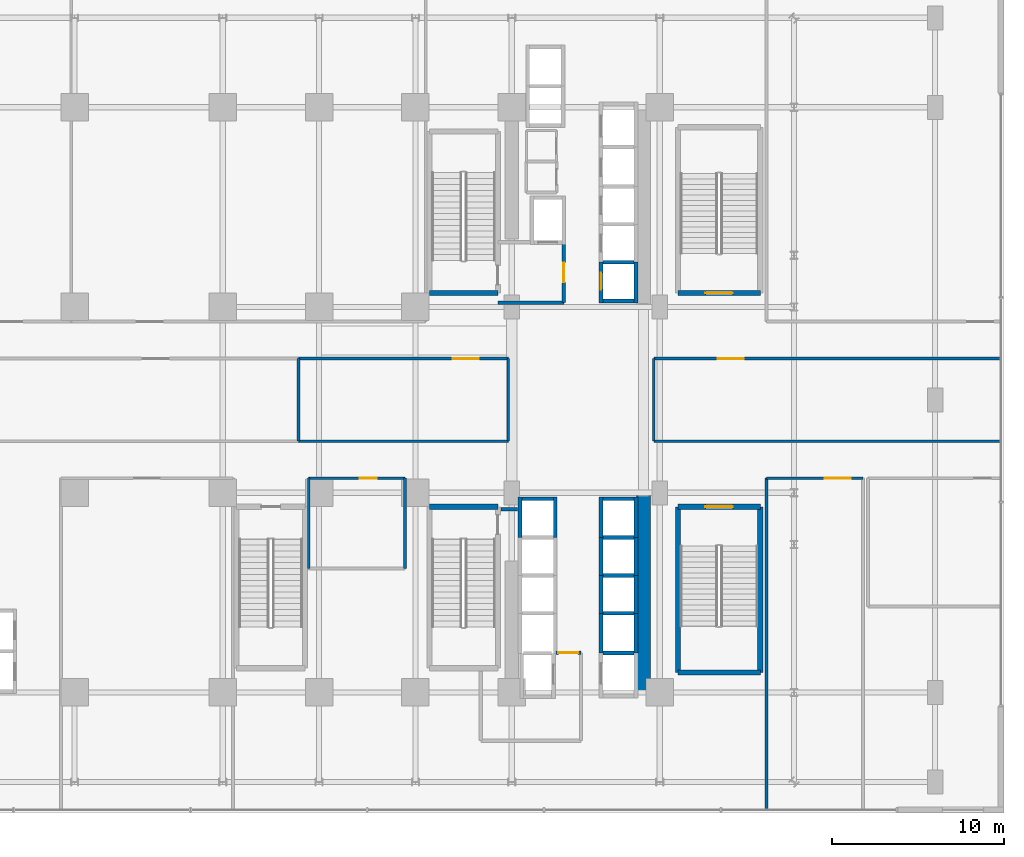
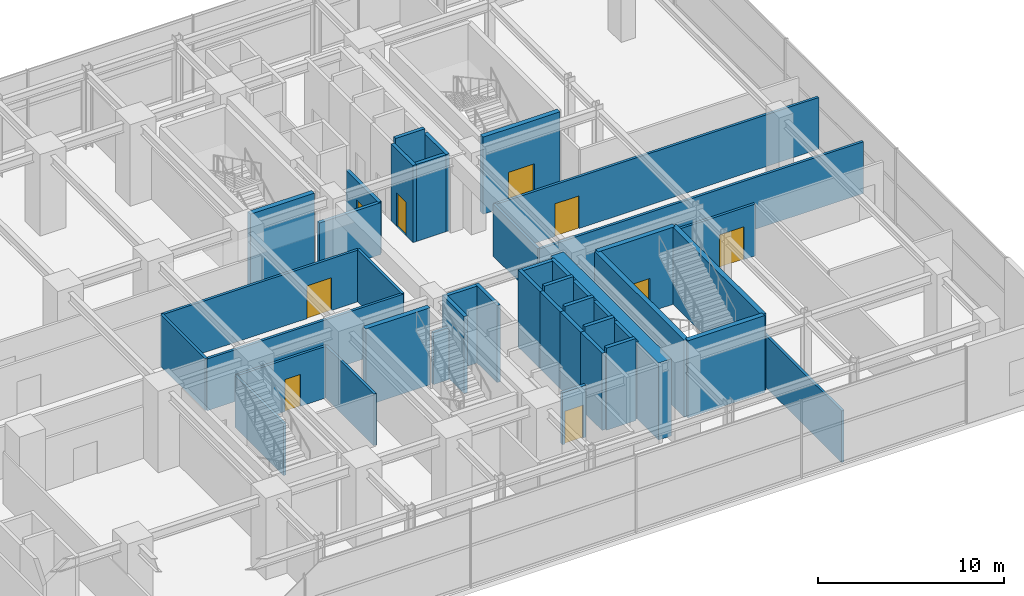
# One storey, part 28 of 32: 44 walls, 9 doors, 9 openings.
"""IFC4 building model written with IfcOpenShell, lengths in metres."""

from ifc_helpers import new_model, si_unit, direction, frame, frame_2d, origin, place, context, subcontext, project, spatial, rectangle, extrude, source, transform, mapped, material, layer, layer_set, type_object, element, fill, save


model = new_model("IFC4")

# Units and contexts
model_context = context("Model", 3, precision=1e-05, world=origin(), true_north=direction((0.0, 1.0)))
body_context = subcontext(model_context, "Body", "Model", "MODEL_VIEW")
ifc_project = project(units=[si_unit("LENGTHUNIT", "METRE"), si_unit("AREAUNIT", "SQUARE_METRE"), si_unit("VOLUMEUNIT", "CUBIC_METRE"), si_unit("PLANEANGLEUNIT", "RADIAN"), si_unit("MASSUNIT", "GRAM", prefix="KILO")], contexts=[model_context])

# Site, building, storey
site_placement = place(None, origin())
site = spatial("IfcSite", under=ifc_project, at=site_placement, CompositionType="ELEMENT")
building_placement = place(site_placement, origin())
building = spatial("IfcBuilding", under=site, at=building_placement, Name="Nahalor Promenade Grand Hotel", CompositionType="ELEMENT")
storey_placement = place(building_placement, frame((0.0, 0.0, 10.800048828125)))
storey = spatial("IfcBuildingStorey", under=building, at=storey_placement, Name="L02", CompositionType="ELEMENT", Elevation=10.800048828125)

# Walls
ifc_material_1 = material(Name="Concrete B-70 (C60/75)", Category="concrete")
ifc_layer_1 = layer(ifc_material_1, 0.800048828125)
ifc_layer_set_1 = layer_set([ifc_layer_1], Name="Concrete B-70 (C60/75)")
wall_type_1 = type_object("IfcWallType", Name="Wall-CoreShear-800", PredefinedType="SHEAR", material=ifc_layer_set_1)
shared_shape_1 = source(origin(), body_context, "Body", "SweptSolid", [
    extrude(rectangle(XDim=11.60009765625, YDim=0.800048828125, at=frame_2d((5.800048828125, 0.0))), origin(), (0.0, 0.0, 1.0), 5.06005859375),
])
wall_1_placement = place(storey_placement, frame((16.050048828125, -17.0, 0.0), z_axis=(0.0, 0.0, 1.0), x_axis=(0.0, 1.0, 0.0)))
element("IfcWall", 1, at=wall_1_placement, inside=storey, type_object=wall_type_1, Name="CWALL-L02-SE", PredefinedType="SHEAR", context=body_context, shape_type="MappedRepresentation", body=[
    mapped(shared_shape_1, transform((0.0, 0.0, 0.0), scale=1.0)),
])
ifc_material_2 = material(Name="Concrete B-50 (C40/50)", Category="concrete")
ifc_layer_2 = layer(ifc_material_2, 0.300048828125)
ifc_layer_set_2 = layer_set([ifc_layer_2], Name="Concrete B-50 (C40/50)")
wall_type_2 = type_object("IfcWallType", Name="Wall-ShaftShear-300", PredefinedType="SHEAR", material=ifc_layer_set_2)
shared_shape_2 = source(origin(), body_context, "Body", "SweptSolid", [
    extrude(rectangle(XDim=3.97998046875, YDim=0.300048828125, at=frame_2d((1.989990234375, 0.0))), origin(), (0.0, 0.0, 1.0), 5.06005859375),
])
for number, where, z_axis, x_axis, name in (
    (2, (3.610107421875, 6.2099609375, 0.0), (0.0, 0.0, 1.0), (1.0, 0.0, 0.0), "L02 Exit Stair ST1 Shaft Wall S"),
    (3, (3.610107421875, -6.2099609375, 0.0), (0.0, 0.0, 1.0), (1.0, 0.0, 0.0), "L02 Exit Stair ST2 Shaft Wall N"),
):
    element("IfcWall", number, at=place(storey_placement, frame(where, z_axis=z_axis, x_axis=x_axis)), inside=storey, type_object=wall_type_2, Name=name, PredefinedType="SHEAR", context=body_context, shape_type="MappedRepresentation", body=[
        mapped(shared_shape_2, transform((0.0, 0.0, 0.0), scale=1.0)),
    ])

# Wall, opening, door
shared_shape_3 = source(origin(), body_context, "Body", "SweptSolid", [
    extrude(rectangle(XDim=4.780029296875, YDim=0.300048828125, at=frame_2d((2.39013671875, 0.0))), origin(), (0.0, 0.0, 1.0), 5.06005859375),
])
wall_2_placement = place(storey_placement, frame((18.06005859375, 6.2099609375, 0.0), z_axis=(0.0, 0.0, 1.0), x_axis=(1.0, 0.0, 0.0)))
wall_2 = element("IfcWall", 4, at=wall_2_placement, inside=storey, type_object=wall_type_2, Name="L02 Exit Stair ST4 Shaft Wall S", PredefinedType="SHEAR", context=body_context, shape_type="MappedRepresentation", body=[
    mapped(shared_shape_3, transform((0.0, 0.0, 0.0), scale=1.0)),
])
opening_1_placement = place(wall_2_placement, frame((1.590087890625, 0.0, 0.0)))
opening_1 = element("IfcOpeningElement", 5, at=opening_1_placement, cuts=wall_2, Name="Opening D-ST2", PredefinedType="OPENING", context=body_context, shape_type="SweptSolid", body=[
    extrude(rectangle(XDim=1.60009765625, YDim=2.199951171875, at=frame_2d((0.800048828125, 1.10009765625))), frame((0.0, 0.159912109375, 0.0), z_axis=(0.0, -1.0, 0.0), x_axis=(1.0, 0.0, 0.0)), (0.0, 0.0, 1.0), 0.320068359375),
])
ifc_material_3 = material(Name="Steel S355JR", Category="steel")
door_type_1 = type_object("IfcDoorType", Name="Door-StairGrand-1600", OperationType="DOUBLE_DOOR_SINGLE_SWING", PredefinedType="DOOR", material=ifc_material_3)
shared_shape_4 = source(origin(), body_context, "Body", "SweptSolid", [
    extrude(rectangle(XDim=1.60009765625, YDim=2.199951171875, at=frame_2d((0.800048828125, 1.10009765625))), frame((0.0, 0.02490234375, 0.0), z_axis=(0.0, -1.0, 0.0), x_axis=(1.0, 0.0, 0.0)), (0.0, 0.0, 1.0), 0.050048828125),
])
door_1_placement = place(opening_1_placement, origin())
door_1 = element("IfcDoor", 6, at=door_1_placement, inside=storey, type_object=door_type_1, Name="DR-STAIR-ST4-L02", OperationType="DOUBLE_DOOR_SINGLE_SWING", OverallHeight=2.199951171875, OverallWidth=1.60009765625, PredefinedType="DOOR", context=body_context, shape_type="MappedRepresentation", body=[
    mapped(shared_shape_4, transform((0.0, 0.0, 0.0), scale=1.0)),
])
fill(opening_1, door_1)

# Wall
wall_3_placement = place(storey_placement, frame((18.06005859375, -15.840087890625, 0.0), z_axis=(0.0, 0.0, 1.0), x_axis=(1.0, 0.0, 0.0)))
element("IfcWall", 7, at=wall_3_placement, inside=storey, type_object=wall_type_2, Name="L02 Exit Stair ST5 Shaft Wall S", PredefinedType="SHEAR", context=body_context, shape_type="MappedRepresentation", body=[
    mapped(shared_shape_3, transform((0.0, 0.0, 0.0), scale=1.0)),
])

# Wall, opening, door
wall_4_placement = place(storey_placement, frame((18.06005859375, -6.2099609375, 0.0), z_axis=(0.0, 0.0, 1.0), x_axis=(1.0, 0.0, 0.0)))
wall_4 = element("IfcWall", 8, at=wall_4_placement, inside=storey, type_object=wall_type_2, Name="L02 Exit Stair ST5 Shaft Wall N", PredefinedType="SHEAR", context=body_context, shape_type="MappedRepresentation", body=[
    mapped(shared_shape_3, transform((0.0, 0.0, 0.0), scale=1.0)),
])
opening_2_placement = place(wall_4_placement, frame((1.590087890625, 0.0, 0.0)))
opening_2 = element("IfcOpeningElement", 9, at=opening_2_placement, cuts=wall_4, Name="Opening D-ST2", PredefinedType="OPENING", context=body_context, shape_type="SweptSolid", body=[
    extrude(rectangle(XDim=1.60009765625, YDim=2.199951171875, at=frame_2d((0.800048828125, 1.10009765625))), frame((0.0, 0.159912109375, 0.0), z_axis=(0.0, -1.0, 0.0), x_axis=(1.0, 0.0, 0.0)), (0.0, 0.0, 1.0), 0.320068359375),
])
door_2_placement = place(opening_2_placement, frame((1.60009765625, 0.0, 0.0), z_axis=(0.0, 0.0, 1.0), x_axis=(-1.0, 0.0, 0.0)))
door_2 = element("IfcDoor", 10, at=door_2_placement, inside=storey, type_object=door_type_1, Name="DR-STAIR-ST5-L02", OperationType="DOUBLE_DOOR_SINGLE_SWING", OverallHeight=2.199951171875, OverallWidth=1.60009765625, PredefinedType="DOOR", context=body_context, shape_type="MappedRepresentation", body=[
    mapped(shared_shape_4, transform((0.0, 0.0, 0.0), scale=1.0)),
])
fill(opening_2, door_2)

# Walls
shared_shape_5 = source(origin(), body_context, "Body", "SweptSolid", [
    extrude(rectangle(XDim=9.630126953125, YDim=0.300048828125, at=frame_2d((4.81494140625, 0.0))), origin(), (0.0, 0.0, 1.0), 5.06005859375),
])
for number, where, z_axis, x_axis, name in (
    (11, (18.06005859375, -15.840087890625, 0.0), (0.0, 0.0, 1.0), (0.0, 1.0, 0.0), "L02 Exit Stair ST5 Shaft Wall W"),
    (12, (22.840087890625, -15.840087890625, 0.0), (0.0, 0.0, 1.0), (0.0, 1.0, 0.0), "L02 Exit Stair ST5 Shaft Wall E"),
):
    element("IfcWall", number, at=place(storey_placement, frame(where, z_axis=z_axis, x_axis=x_axis)), inside=storey, type_object=wall_type_2, Name=name, PredefinedType="SHEAR", context=body_context, shape_type="MappedRepresentation", body=[
        mapped(shared_shape_5, transform((0.0, 0.0, 0.0), scale=1.0)),
    ])
ifc_layer_3 = layer(ifc_material_2, 0.219970703125)
ifc_layer_set_3 = layer_set([ifc_layer_3], Name="Concrete B-50 (C40/50)")
wall_type_3 = type_object("IfcWallType", Name="Wall-LiftShaft-220", PredefinedType="SHEAR", material=ifc_layer_set_3)
shared_shape_6 = source(origin(), body_context, "Body", "SweptSolid", [
    extrude(rectangle(XDim=1.820068359375, YDim=0.219970703125, at=frame_2d((0.91015625, 0.0))), origin(), (0.0, 0.0, 1.0), 5.39990234375),
])
for number, where, z_axis, x_axis, name in (
    (13, (13.68994140625, 8.0, 0.0), (0.0, 0.0, 1.0), (1.0, 0.0, 0.0), "L02 Lift PL1 Hoistway Wall N"),
    (14, (13.68994140625, -8.0, 0.0), (0.0, 0.0, 1.0), (1.0, 0.0, 0.0), "L02 Lift PL6 Hoistway Wall N"),
    (15, (13.68994140625, -10.199951171875, 0.0), (0.0, 0.0, 1.0), (1.0, 0.0, 0.0), "L02 Lift PL7 Hoistway Wall N"),
    (16, (13.68994140625, -12.39990234375, 0.0), (0.0, 0.0, 1.0), (1.0, 0.0, 0.0), "L02 Lift PL8 Hoistway Wall N"),
    (17, (13.68994140625, -14.699951171875, 0.0), (0.0, 0.0, 1.0), (1.0, 0.0, 0.0), "L02 Lift SV2 Hoistway Wall N"),
):
    element("IfcWall", number, at=place(storey_placement, frame(where, z_axis=z_axis, x_axis=x_axis)), inside=storey, type_object=wall_type_3, Name=name, PredefinedType="SHEAR", context=body_context, shape_type="MappedRepresentation", body=[
        mapped(shared_shape_6, transform((0.0, 0.0, 0.0), scale=1.0)),
    ])

# Wall, opening, door
shared_shape_7 = source(origin(), body_context, "Body", "SweptSolid", [
    extrude(rectangle(XDim=2.360107421875, YDim=0.219970703125, at=frame_2d((1.18017578125, 0.0))), origin(), (0.0, 0.0, 1.0), 5.06005859375),
])
wall_5_placement = place(storey_placement, frame((13.580078125, 5.639892578125, 0.0), z_axis=(0.0, 0.0, 1.0), x_axis=(0.0, 1.0, 0.0)))
wall_5 = element("IfcWall", 18, at=wall_5_placement, inside=storey, type_object=wall_type_3, Name="L02 Lift PL1 Hoistway Wall W", PredefinedType="SHEAR", context=body_context, shape_type="MappedRepresentation", body=[
    mapped(shared_shape_7, transform((0.0, 0.0, 0.0), scale=1.0)),
])
opening_3_placement = place(wall_5_placement, frame((0.760009765625, 0.0, 0.0)))
opening_3 = element("IfcOpeningElement", 19, at=opening_3_placement, cuts=wall_5, Name="Opening LD-01", PredefinedType="OPENING", context=body_context, shape_type="SweptSolid", body=[
    extrude(rectangle(XDim=1.0, YDim=2.199951171875, at=frame_2d((0.5, 1.10009765625))), frame((0.0, 0.119873046875, 0.0), z_axis=(0.0, -1.0, 0.0), x_axis=(1.0, 0.0, 0.0)), (0.0, 0.0, 1.0), 0.239990234375),
])
door_type_2 = type_object("IfcDoorType", Name="Door-LiftLanding-1000", OperationType="DOUBLE_DOOR_SLIDING", PredefinedType="DOOR", material=ifc_material_3)
shared_shape_8 = source(origin(), body_context, "Body", "SweptSolid", [
    extrude(rectangle(XDim=1.0, YDim=2.199951171875, at=frame_2d((0.5, 1.10009765625))), frame((0.0, 0.02490234375, 0.0), z_axis=(0.0, -1.0, 0.0), x_axis=(1.0, 0.0, 0.0)), (0.0, 0.0, 1.0), 0.050048828125),
])
door_3_placement = place(opening_3_placement, origin())
door_3 = element("IfcDoor", 20, at=door_3_placement, inside=storey, type_object=door_type_2, Name="DR-LIFT-PL1-L02", OperationType="DOUBLE_DOOR_SLIDING", OverallHeight=2.199951171875, OverallWidth=1.0, PredefinedType="DOOR", context=body_context, shape_type="MappedRepresentation", body=[
    mapped(shared_shape_8, transform((0.0, 0.0, 0.0), scale=1.0)),
])
fill(opening_3, door_3)

# Walls
for number, where, z_axis, x_axis, name in (
    (21, (15.6201171875, 5.639892578125, 0.0), (0.0, 0.0, 1.0), (0.0, 1.0, 0.0), "L02 Lift PL1 Hoistway Wall E"),
    (22, (13.580078125, -8.0, 0.0), (0.0, 0.0, 1.0), (0.0, 1.0, 0.0), "L02 Lift PL5 Hoistway Wall W"),
    (23, (15.6201171875, -8.0, 0.0), (0.0, 0.0, 1.0), (0.0, 1.0, 0.0), "L02 Lift PL5 Hoistway Wall E"),
    (24, (8.8798828125, -8.0, 0.0), (0.0, 0.0, 1.0), (0.0, 1.0, 0.0), "L02 Lift PL9 Hoistway Wall W"),
    (25, (10.919921875, -8.0, 0.0), (0.0, 0.0, 1.0), (0.0, 1.0, 0.0), "L02 Lift PL9 Hoistway Wall E"),
):
    element("IfcWall", number, at=place(storey_placement, frame(where, z_axis=z_axis, x_axis=x_axis)), inside=storey, type_object=wall_type_3, Name=name, PredefinedType="SHEAR", context=body_context, shape_type="MappedRepresentation", body=[
        mapped(shared_shape_7, transform((0.0, 0.0, 0.0), scale=1.0)),
    ])
shared_shape_9 = source(origin(), body_context, "Body", "SweptSolid", [
    extrude(rectangle(XDim=1.820068359375, YDim=0.219970703125, at=frame_2d((0.91015625, 0.0))), origin(), (0.0, 0.0, 1.0), 5.06005859375),
])
for number, where, z_axis, x_axis, name in (
    (26, (13.68994140625, 5.75, 0.0), (0.0, 0.0, 1.0), (1.0, 0.0, 0.0), "L02 Lift PL1 Hoistway Wall S"),
    (27, (13.68994140625, -5.75, 0.0), (0.0, 0.0, 1.0), (1.0, 0.0, 0.0), "L02 Lift PL5 Hoistway Wall N"),
    (28, (8.989990234375, -5.75, 0.0), (0.0, 0.0, 1.0), (1.0, 0.0, 0.0), "L02 Lift PL9 Hoistway Wall N"),
):
    element("IfcWall", number, at=place(storey_placement, frame(where, z_axis=z_axis, x_axis=x_axis)), inside=storey, type_object=wall_type_3, Name=name, PredefinedType="SHEAR", context=body_context, shape_type="MappedRepresentation", body=[
        mapped(shared_shape_9, transform((0.0, 0.0, 0.0), scale=1.0)),
    ])
shared_shape_10 = source(origin(), body_context, "Body", "SweptSolid", [
    extrude(rectangle(XDim=2.199951171875, YDim=0.219970703125, at=frame_2d((1.10009765625, 0.0))), origin(), (0.0, 0.0, 1.0), 5.06005859375),
])
for number, where, z_axis, x_axis, name in (
    (29, (13.580078125, -10.199951171875, 0.0), (0.0, 0.0, 1.0), (0.0, 1.0, 0.0), "L02 Lift PL6 Hoistway Wall W"),
    (30, (15.6201171875, -10.199951171875, 0.0), (0.0, 0.0, 1.0), (0.0, 1.0, 0.0), "L02 Lift PL6 Hoistway Wall E"),
    (31, (13.580078125, -12.39990234375, 0.0), (0.0, 0.0, 1.0), (0.0, 1.0, 0.0), "L02 Lift PL7 Hoistway Wall W"),
    (32, (15.6201171875, -12.39990234375, 0.0), (0.0, 0.0, 1.0), (0.0, 1.0, 0.0), "L02 Lift PL7 Hoistway Wall E"),
):
    element("IfcWall", number, at=place(storey_placement, frame(where, z_axis=z_axis, x_axis=x_axis)), inside=storey, type_object=wall_type_3, Name=name, PredefinedType="SHEAR", context=body_context, shape_type="MappedRepresentation", body=[
        mapped(shared_shape_10, transform((0.0, 0.0, 0.0), scale=1.0)),
    ])
shared_shape_11 = source(origin(), body_context, "Body", "SweptSolid", [
    extrude(rectangle(XDim=2.300048828125, YDim=0.219970703125, at=frame_2d((1.14990234375, 0.0))), origin(), (0.0, 0.0, 1.0), 5.06005859375),
])
for number, where, z_axis, x_axis, name in (
    (33, (13.580078125, -14.699951171875, 0.0), (0.0, 0.0, 1.0), (0.0, 1.0, 0.0), "L02 Lift PL8 Hoistway Wall W"),
    (34, (15.6201171875, -14.699951171875, 0.0), (0.0, 0.0, 1.0), (0.0, 1.0, 0.0), "L02 Lift PL8 Hoistway Wall E"),
):
    element("IfcWall", number, at=place(storey_placement, frame(where, z_axis=z_axis, x_axis=x_axis)), inside=storey, type_object=wall_type_3, Name=name, PredefinedType="SHEAR", context=body_context, shape_type="MappedRepresentation", body=[
        mapped(shared_shape_11, transform((0.0, 0.0, 0.0), scale=1.0)),
    ])
ifc_material_4 = material(Name="Concrete B-40 (C32/40)", Category="concrete")
ifc_layer_4 = layer(ifc_material_4, 0.199951171875)
ifc_layer_set_4 = layer_set([ifc_layer_4], Name="Concrete B-40 (C32/40)")
wall_type_4 = type_object("IfcWallType", Name="Wall-PartFire-200", PredefinedType="PARTITIONING", material=ifc_layer_set_4)
shared_shape_12 = source(origin(), body_context, "Body", "SweptSolid", [
    extrude(rectangle(XDim=3.81982421875, YDim=0.199951171875, at=frame_2d((1.909912109375, 0.0))), origin(), (0.0, 0.0, 1.0), 3.39990234375),
])
wall_6_placement = place(storey_placement, frame((7.60009765625, 5.64990234375, 0.0), z_axis=(0.0, 0.0, 1.0), x_axis=(1.0, 0.0, 0.0)))
element("IfcWall", 35, at=wall_6_placement, inside=storey, type_object=wall_type_4, Name="W-L02-FF1-S", PredefinedType="PARTITIONING", context=body_context, shape_type="MappedRepresentation", body=[
    mapped(shared_shape_12, transform((0.0, 0.0, 0.0), scale=1.0)),
])

# Wall, opening, door
shared_shape_13 = source(origin(), body_context, "Body", "SweptSolid", [
    extrude(rectangle(XDim=3.5, YDim=0.199951171875, at=frame_2d((1.75, 0.0))), origin(), (0.0, 0.0, 1.0), 3.39990234375),
])
wall_7_placement = place(storey_placement, frame((11.419921875, 5.64990234375, 0.0), z_axis=(0.0, 0.0, 1.0), x_axis=(0.0, 1.0, 0.0)))
wall_7 = element("IfcWall", 36, at=wall_7_placement, inside=storey, type_object=wall_type_4, Name="W-L02-FF1-E", PredefinedType="PARTITIONING", context=body_context, shape_type="MappedRepresentation", body=[
    mapped(shared_shape_13, transform((0.0, 0.0, 0.0), scale=1.0)),
])
opening_4_placement = place(wall_7_placement, frame((1.175048828125, 0.0, 0.0)))
opening_4 = element("IfcOpeningElement", 37, at=opening_4_placement, cuts=wall_7, Name="Opening D-FF1", PredefinedType="OPENING", context=body_context, shape_type="SweptSolid", body=[
    extrude(rectangle(XDim=1.14990234375, YDim=2.14990234375, at=frame_2d((0.574951171875, 1.074951171875))), frame((0.0, 0.10986328125, 0.0), z_axis=(0.0, -1.0, 0.0), x_axis=(1.0, 0.0, 0.0)), (0.0, 0.0, 1.0), 0.219970703125),
])
door_type_3 = type_object("IfcDoorType", Name="Door-FFLobby-1150", OperationType="NOTDEFINED", PredefinedType="DOOR", material=ifc_material_3)
shared_shape_14 = source(origin(), body_context, "Body", "SweptSolid", [
    extrude(rectangle(XDim=1.14990234375, YDim=2.14990234375, at=frame_2d((0.574951171875, 1.074951171875))), frame((0.0, 0.02490234375, 0.0), z_axis=(0.0, -1.0, 0.0), x_axis=(1.0, 0.0, 0.0)), (0.0, 0.0, 1.0), 0.050048828125),
])
door_4_placement = place(opening_4_placement, frame((1.14990234375, 0.0, 0.0), z_axis=(0.0, 0.0, 1.0), x_axis=(-1.0, 0.0, 0.0)))
door_4 = element("IfcDoor", 38, at=door_4_placement, inside=storey, type_object=door_type_3, Name="DR-L02-FFL1", OperationType="SINGLE_SWING_RIGHT", OverallHeight=2.14990234375, OverallWidth=1.14990234375, PredefinedType="DOOR", context=body_context, shape_type="MappedRepresentation", body=[
    mapped(shared_shape_14, transform((0.0, 0.0, 0.0), scale=1.0)),
])
fill(opening_4, door_4)

shared_shape_15 = source(origin(), body_context, "Body", "SweptSolid", [
    extrude(rectangle(XDim=1.4599609375, YDim=0.199951171875, at=frame_2d((0.72998046875, 0.0))), origin(), (0.0, 0.0, 1.0), 3.39990234375),
])
wall_8_placement = place(storey_placement, frame((10.9599609375, -14.699951171875, 0.0), z_axis=(0.0, 0.0, 1.0), x_axis=(1.0, 0.0, 0.0)))
wall_8 = element("IfcWall", 39, at=wall_8_placement, inside=storey, type_object=wall_type_4, Name="W-L02-FF2-N1", PredefinedType="PARTITIONING", context=body_context, shape_type="MappedRepresentation", body=[
    mapped(shared_shape_15, transform((0.0, 0.0, 0.0), scale=1.0)),
])
opening_5_placement = place(wall_8_placement, frame((0.14501953125, 0.0, 0.0)))
opening_5 = element("IfcOpeningElement", 40, at=opening_5_placement, cuts=wall_8, Name="Opening D-FF1", PredefinedType="OPENING", context=body_context, shape_type="SweptSolid", body=[
    extrude(rectangle(XDim=1.14990234375, YDim=2.14990234375, at=frame_2d((0.574951171875, 1.074951171875))), frame((0.0, 0.10986328125, 0.0), z_axis=(0.0, -1.0, 0.0), x_axis=(1.0, 0.0, 0.0)), (0.0, 0.0, 1.0), 0.219970703125),
])
door_5_placement = place(opening_5_placement, origin())
door_5 = element("IfcDoor", 41, at=door_5_placement, inside=storey, type_object=door_type_3, Name="DR-L02-FFL2", OperationType="SINGLE_SWING_LEFT", OverallHeight=2.14990234375, OverallWidth=1.14990234375, PredefinedType="DOOR", context=body_context, shape_type="MappedRepresentation", body=[
    mapped(shared_shape_14, transform((0.0, 0.0, 0.0), scale=1.0)),
])
fill(opening_5, door_5)

# Walls
shared_shape_16 = source(origin(), body_context, "Body", "SweptSolid", [
    extrude(rectangle(XDim=0.969970703125, YDim=0.199951171875, at=frame_2d((0.48486328125, 0.0))), origin(), (0.0, 0.0, 1.0), 3.39990234375),
])
wall_9_placement = place(storey_placement, frame((7.77001953125, -6.35009765625, 0.0), z_axis=(0.0, 0.0, 1.0), x_axis=(1.0, 0.0, 0.0)))
element("IfcWall", 42, at=wall_9_placement, inside=storey, type_object=wall_type_4, Name="W-L02-FF2-N2", PredefinedType="PARTITIONING", context=body_context, shape_type="MappedRepresentation", body=[
    mapped(shared_shape_16, transform((0.0, 0.0, 0.0), scale=1.0)),
])
ifc_material_5 = material(Name="Acoustic Mineral Gypsum", Category="gypsum")
ifc_layer_5 = layer(ifc_material_5, 0.159912109375)
ifc_layer_set_5 = layer_set([ifc_layer_5], Name="Acoustic Mineral Gypsum")
wall_type_5 = type_object("IfcWallType", Name="Wall-PartCorridor-160", PredefinedType="PARTITIONING", material=ifc_layer_set_5)
shared_shape_17 = source(origin(), body_context, "Body", "SweptSolid", [
    extrude(rectangle(XDim=4.7998046875, YDim=0.159912109375, at=frame_2d((2.39990234375, 0.0))), origin(), (0.0, 0.0, 1.0), 3.39990234375),
])
for number, where, z_axis, x_axis, name in (
    (43, (-4.0, -2.39990234375, 0.0), (0.0, 0.0, 1.0), (0.0, 1.0, 0.0), "W-L02-PR06-E"),
    (44, (8.199951171875, -2.39990234375, 0.0), (0.0, 0.0, 1.0), (0.0, 1.0, 0.0), "W-L02-PR07-E"),
    (45, (16.64990234375, -2.39990234375, 0.0), (0.0, 0.0, 1.0), (0.0, 1.0, 0.0), "W-L02-PR08-W"),
):
    element("IfcWall", number, at=place(storey_placement, frame(where, z_axis=z_axis, x_axis=x_axis)), inside=storey, type_object=wall_type_5, Name=name, PredefinedType="PARTITIONING", context=body_context, shape_type="MappedRepresentation", body=[
        mapped(shared_shape_17, transform((0.0, 0.0, 0.0), scale=1.0)),
    ])
shared_shape_18 = source(origin(), body_context, "Body", "SweptSolid", [
    extrude(rectangle(XDim=19.2099609375, YDim=0.159912109375, at=frame_2d((9.60498046875, 0.0))), origin(), (0.0, 0.0, 1.0), 3.39990234375),
])
wall_10_placement = place(storey_placement, frame((23.199951171875, -23.760009765625, 0.0), z_axis=(0.0, 0.0, 1.0), x_axis=(0.0, 1.0, 0.0)))
element("IfcWall", 46, at=wall_10_placement, inside=storey, type_object=wall_type_5, Name="W-L02-PR09-W", PredefinedType="PARTITIONING", context=body_context, shape_type="MappedRepresentation", body=[
    mapped(shared_shape_18, transform((0.0, 0.0, 0.0), scale=1.0)),
])
shared_shape_19 = source(origin(), body_context, "Body", "SweptSolid", [
    extrude(rectangle(XDim=12.199951171875, YDim=0.159912109375, at=frame_2d((6.10009765625, 0.0))), origin(), (0.0, 0.0, 1.0), 3.39990234375),
])
wall_11_placement = place(storey_placement, frame((-4.0, -2.39990234375, 0.0), z_axis=(0.0, 0.0, 1.0), x_axis=(1.0, 0.0, 0.0)))
element("IfcWall", 47, at=wall_11_placement, inside=storey, type_object=wall_type_5, Name="W-L02-PR07-S", PredefinedType="PARTITIONING", context=body_context, shape_type="MappedRepresentation", body=[
    mapped(shared_shape_19, transform((0.0, 0.0, 0.0), scale=1.0)),
])

# Wall, opening, door
wall_12_placement = place(storey_placement, frame((-4.0, 2.39990234375, 0.0), z_axis=(0.0, 0.0, 1.0), x_axis=(1.0, 0.0, 0.0)))
wall_12 = element("IfcWall", 48, at=wall_12_placement, inside=storey, type_object=wall_type_5, Name="W-L02-PR07-N", PredefinedType="PARTITIONING", context=body_context, shape_type="MappedRepresentation", body=[
    mapped(shared_shape_19, transform((0.0, 0.0, 0.0), scale=1.0)),
])
opening_6_placement = place(wall_12_placement, frame((8.98095703125, 0.0, 0.0)))
opening_6 = element("IfcOpeningElement", 49, at=opening_6_placement, cuts=wall_12, Name="Opening D-02", PredefinedType="OPENING", context=body_context, shape_type="SweptSolid", body=[
    extrude(rectangle(XDim=1.5, YDim=2.14990234375, at=frame_2d((0.75, 1.074951171875))), frame((0.0, 0.08984375, 0.0), z_axis=(0.0, -1.0, 0.0), x_axis=(1.0, 0.0, 0.0)), (0.0, 0.0, 1.0), 0.179931640625),
])
ifc_material_6 = material(Name="Fire-Rated Timber Composite", Category="wood")
door_type_4 = type_object("IfcDoorType", Name="Door-SuiteDouble-1500", OperationType="DOUBLE_DOOR_SINGLE_SWING", PredefinedType="DOOR", material=ifc_material_6)
shared_shape_20 = source(origin(), body_context, "Body", "SweptSolid", [
    extrude(rectangle(XDim=1.5, YDim=2.14990234375, at=frame_2d((0.75, 1.074951171875))), frame((0.0, 0.02490234375, 0.0), z_axis=(0.0, -1.0, 0.0), x_axis=(1.0, 0.0, 0.0)), (0.0, 0.0, 1.0), 0.050048828125),
])
door_6_placement = place(opening_6_placement, frame((1.5, 0.0, 0.0), z_axis=(0.0, 0.0, 1.0), x_axis=(-1.0, 0.0, 0.0)))
door_6 = element("IfcDoor", 50, at=door_6_placement, inside=storey, type_object=door_type_4, Name="DR-L02-PR07", OperationType="DOUBLE_DOOR_SINGLE_SWING", OverallHeight=2.14990234375, OverallWidth=1.5, PredefinedType="DOOR", context=body_context, shape_type="MappedRepresentation", body=[
    mapped(shared_shape_20, transform((0.0, 0.0, 0.0), scale=1.0)),
])
fill(opening_6, door_6)

shared_shape_21 = source(origin(), body_context, "Body", "SweptSolid", [
    extrude(rectangle(XDim=5.599853515625, YDim=0.159912109375, at=frame_2d((2.7998046875, 0.0))), origin(), (0.0, 0.0, 1.0), 3.39990234375),
])
wall_13_placement = place(storey_placement, frame((-3.39990234375, -4.550048828125, 0.0), z_axis=(0.0, 0.0, 1.0), x_axis=(1.0, 0.0, 0.0)))
wall_13 = element("IfcWall", 51, at=wall_13_placement, inside=storey, type_object=wall_type_5, Name="W-L02-PR11-N", PredefinedType="PARTITIONING", context=body_context, shape_type="MappedRepresentation", body=[
    mapped(shared_shape_21, transform((0.0, 0.0, 0.0), scale=1.0)),
])
opening_7_placement = place(wall_13_placement, frame((2.97802734375, 0.0, 0.0)))
opening_7 = element("IfcOpeningElement", 52, at=opening_7_placement, cuts=wall_13, Name="Opening D-05", PredefinedType="OPENING", context=body_context, shape_type="SweptSolid", body=[
    extrude(rectangle(XDim=0.97998046875, YDim=2.10009765625, at=frame_2d((0.489990234375, 1.050048828125))), frame((0.0, 0.08984375, 0.0), z_axis=(0.0, -1.0, 0.0), x_axis=(1.0, 0.0, 0.0)), (0.0, 0.0, 1.0), 0.179931640625),
])
door_type_5 = type_object("IfcDoorType", Name="Door-AccessibleWC-980", OperationType="NOTDEFINED", PredefinedType="DOOR", material=ifc_material_6)
shared_shape_22 = source(origin(), body_context, "Body", "SweptSolid", [
    extrude(rectangle(XDim=0.97998046875, YDim=2.10009765625, at=frame_2d((0.489990234375, 1.050048828125))), frame((0.0, 0.02490234375, 0.0), z_axis=(0.0, -1.0, 0.0), x_axis=(1.0, 0.0, 0.0)), (0.0, 0.0, 1.0), 0.050048828125),
])
door_7_placement = place(opening_7_placement, frame((0.97998046875, 0.0, 0.0), z_axis=(0.0, 0.0, 1.0), x_axis=(-1.0, 0.0, 0.0)))
door_7 = element("IfcDoor", 53, at=door_7_placement, inside=storey, type_object=door_type_5, Name="DR-L02-PR11", OperationType="SINGLE_SWING_LEFT", OverallHeight=2.10009765625, OverallWidth=0.97998046875, PredefinedType="DOOR", context=body_context, shape_type="MappedRepresentation", body=[
    mapped(shared_shape_22, transform((0.0, 0.0, 0.0), scale=1.0)),
])
fill(opening_7, door_7)

# Wall
shared_shape_23 = source(origin(), body_context, "Body", "SweptSolid", [
    extrude(rectangle(XDim=20.110107421875, YDim=0.159912109375, at=frame_2d((10.05517578125, 0.0))), origin(), (0.0, 0.0, 1.0), 3.39990234375),
])
wall_14_placement = place(storey_placement, frame((16.64990234375, -2.39990234375, 0.0), z_axis=(0.0, 0.0, 1.0), x_axis=(1.0, 0.0, 0.0)))
element("IfcWall", 54, at=wall_14_placement, inside=storey, type_object=wall_type_5, Name="W-L02-PR08-S", PredefinedType="PARTITIONING", context=body_context, shape_type="MappedRepresentation", body=[
    mapped(shared_shape_23, transform((0.0, 0.0, 0.0), scale=1.0)),
])

# Wall, opening, door
wall_15_placement = place(storey_placement, frame((16.64990234375, 2.39990234375, 0.0), z_axis=(0.0, 0.0, 1.0), x_axis=(1.0, 0.0, 0.0)))
wall_15 = element("IfcWall", 55, at=wall_15_placement, inside=storey, type_object=wall_type_5, Name="W-L02-PR08-N", PredefinedType="PARTITIONING", context=body_context, shape_type="MappedRepresentation", body=[
    mapped(shared_shape_23, transform((0.0, 0.0, 0.0), scale=1.0)),
])
opening_8_placement = place(wall_15_placement, frame((3.719970703125, 0.0, 0.0)))
opening_8 = element("IfcOpeningElement", 56, at=opening_8_placement, cuts=wall_15, Name="Opening D-02", PredefinedType="OPENING", context=body_context, shape_type="SweptSolid", body=[
    extrude(rectangle(XDim=1.5, YDim=2.14990234375, at=frame_2d((0.75, 1.074951171875))), frame((0.0, 0.08984375, 0.0), z_axis=(0.0, -1.0, 0.0), x_axis=(1.0, 0.0, 0.0)), (0.0, 0.0, 1.0), 0.179931640625),
])
door_8_placement = place(opening_8_placement, frame((1.5, 0.0, 0.0), z_axis=(0.0, 0.0, 1.0), x_axis=(-1.0, 0.0, 0.0)))
door_8 = element("IfcDoor", 57, at=door_8_placement, inside=storey, type_object=door_type_4, Name="DR-L02-PR08", OperationType="DOUBLE_DOOR_SINGLE_SWING", OverallHeight=2.14990234375, OverallWidth=1.5, PredefinedType="DOOR", context=body_context, shape_type="MappedRepresentation", body=[
    mapped(shared_shape_20, transform((0.0, 0.0, 0.0), scale=1.0)),
])
fill(opening_8, door_8)

shared_shape_24 = source(origin(), body_context, "Body", "SweptSolid", [
    extrude(rectangle(XDim=5.60009765625, YDim=0.159912109375, at=frame_2d((2.800048828125, 0.0))), origin(), (0.0, 0.0, 1.0), 3.39990234375),
])
wall_16_placement = place(storey_placement, frame((23.199951171875, -4.550048828125, 0.0), z_axis=(0.0, 0.0, 1.0), x_axis=(1.0, 0.0, 0.0)))
wall_16 = element("IfcWall", 58, at=wall_16_placement, inside=storey, type_object=wall_type_5, Name="W-L02-PR09-N", PredefinedType="PARTITIONING", context=body_context, shape_type="MappedRepresentation", body=[
    mapped(shared_shape_24, transform((0.0, 0.0, 0.0), scale=1.0)),
])
opening_9_placement = place(wall_16_placement, frame((3.385986328125, 0.0, 0.0)))
opening_9 = element("IfcOpeningElement", 59, at=opening_9_placement, cuts=wall_16, Name="Opening D-02", PredefinedType="OPENING", context=body_context, shape_type="SweptSolid", body=[
    extrude(rectangle(XDim=1.5, YDim=2.14990234375, at=frame_2d((0.75, 1.074951171875))), frame((0.0, 0.08984375, 0.0), z_axis=(0.0, -1.0, 0.0), x_axis=(1.0, 0.0, 0.0)), (0.0, 0.0, 1.0), 0.179931640625),
])
door_9_placement = place(opening_9_placement, frame((1.5, 0.0, 0.0), z_axis=(0.0, 0.0, 1.0), x_axis=(-1.0, 0.0, 0.0)))
door_9 = element("IfcDoor", 60, at=door_9_placement, inside=storey, type_object=door_type_4, Name="DR-L02-PR09", OperationType="DOUBLE_DOOR_SINGLE_SWING", OverallHeight=2.14990234375, OverallWidth=1.5, PredefinedType="DOOR", context=body_context, shape_type="MappedRepresentation", body=[
    mapped(shared_shape_20, transform((0.0, 0.0, 0.0), scale=1.0)),
])
fill(opening_9, door_9)

# Walls
shared_shape_25 = source(origin(), body_context, "Body", "SweptSolid", [
    extrude(rectangle(XDim=5.25, YDim=0.159912109375, at=frame_2d((2.625, 0.0))), origin(), (0.0, 0.0, 1.0), 3.39990234375),
])
for number, where, z_axis, x_axis, name in (
    (61, (-3.39990234375, -9.800048828125, 0.0), (0.0, 0.0, 1.0), (0.0, 1.0, 0.0), "W-L02-PR11-W"),
    (62, (2.199951171875, -9.800048828125, 0.0), (0.0, 0.0, 1.0), (0.0, 1.0, 0.0), "W-L02-PR11-E"),
):
    element("IfcWall", number, at=place(storey_placement, frame(where, z_axis=z_axis, x_axis=x_axis)), inside=storey, type_object=wall_type_5, Name=name, PredefinedType="PARTITIONING", context=body_context, shape_type="MappedRepresentation", body=[
        mapped(shared_shape_25, transform((0.0, 0.0, 0.0), scale=1.0)),
    ])

save(model, "model.ifc")
